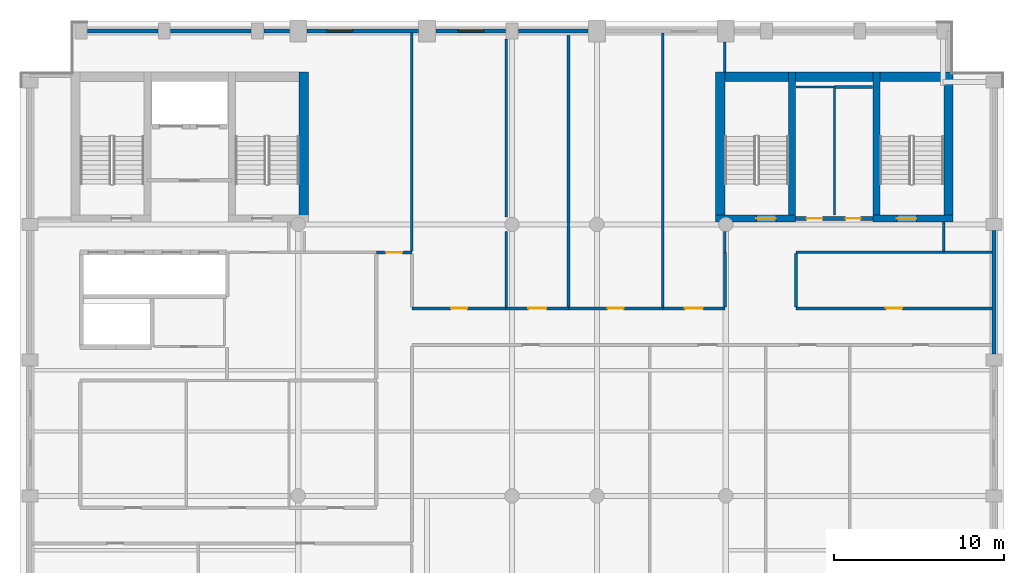
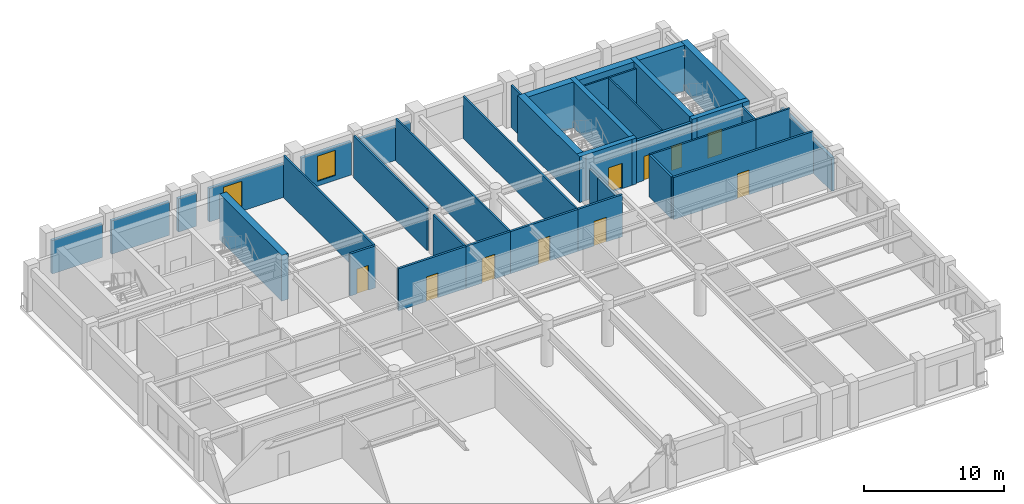
# One storey, part 5 of 9: 37 walls, 10 doors, 2 windows, 12 openings.
"""IFC4 building model written with IfcOpenShell, lengths in metres."""

from ifc_helpers import new_model, si_unit, direction, frame, frame_2d, origin, place, context, subcontext, project, spatial, rectangle, extrude, material, layer, layer_set, type_object, element, fill, save


model = new_model("IFC4")

# Units and contexts
model_context = context("Model", 3, precision=1e-05, world=origin(), true_north=direction((0.0, 1.0)))
body_context = subcontext(model_context, "Body", "Model", "MODEL_VIEW")
ifc_project = project(units=[si_unit("LENGTHUNIT", "METRE"), si_unit("AREAUNIT", "SQUARE_METRE"), si_unit("VOLUMEUNIT", "CUBIC_METRE"), si_unit("PLANEANGLEUNIT", "RADIAN"), si_unit("MASSUNIT", "GRAM", prefix="KILO")], contexts=[model_context])

# Site, building, storey
site_placement = place(None, origin())
site = spatial("IfcSite", under=ifc_project, at=site_placement, CompositionType="ELEMENT")
building_placement = place(site_placement, origin())
building = spatial("IfcBuilding", under=site, at=building_placement, Name="Sulina Concourse Tower", CompositionType="ELEMENT")
storey_placement = place(building_placement, frame((0.0, 0.0, 276.60009765625)))
storey = spatial("IfcBuildingStorey", under=building, at=storey_placement, Name="L67", CompositionType="ELEMENT", Elevation=276.60009765625)

# Walls
ifc_material_1 = material(Name="Precast concrete C50/60", Category="concrete")
ifc_layer_1 = layer(ifc_material_1, 0.239990234375)
ifc_layer_set_1 = layer_set([ifc_layer_1], Name="Precast concrete C50/60")
wall_type_1 = type_object("IfcWallType", Name="Crown Precast Masonry-Frame Facade Wall 240mm", PredefinedType="SOLIDWALL", material=ifc_layer_set_1)
wall_1_placement = place(storey_placement, frame((3.969970703125, 45.39990234375, 0.0), z_axis=(0.0, 0.0, 1.0), x_axis=(1.0, 0.0, 0.0)))
element("IfcWall", 1, at=wall_1_placement, inside=storey, type_object=wall_type_1, Name="L67 exterior precast wall N1", PredefinedType="SOLIDWALL", context=body_context, shape_type="SweptSolid", body=[
    extrude(rectangle(XDim=4.159912109375, YDim=0.239990234375, at=frame_2d((2.080078125, 0.0))), origin(), (0.0, 0.0, 1.0), 2.909912109375),
])
wall_2_placement = place(storey_placement, frame((8.8701171875, 45.39990234375, 0.0), z_axis=(0.0, 0.0, 1.0), x_axis=(1.0, 0.0, 0.0)))
element("IfcWall", 2, at=wall_2_placement, inside=storey, type_object=wall_type_1, Name="L67 exterior precast wall N2", PredefinedType="SOLIDWALL", context=body_context, shape_type="SweptSolid", body=[
    extrude(rectangle(XDim=4.759765625, YDim=0.239990234375, at=frame_2d((2.3798828125, 0.0))), origin(), (0.0, 0.0, 1.0), 2.909912109375),
])
wall_3_placement = place(storey_placement, frame((14.3701171875, 45.39990234375, 0.0), z_axis=(0.0, 0.0, 1.0), x_axis=(1.0, 0.0, 0.0)))
element("IfcWall", 3, at=wall_3_placement, inside=storey, type_object=wall_type_1, Name="L67 exterior precast wall N3", PredefinedType="SOLIDWALL", context=body_context, shape_type="SweptSolid", body=[
    extrude(rectangle(XDim=1.509765625, YDim=0.239990234375, at=frame_2d((0.7548828125, 0.0))), origin(), (0.0, 0.0, 1.0), 2.909912109375),
])

# Wall, opening, window
wall_4_placement = place(storey_placement, frame((16.919921875, 45.39990234375, 0.0), z_axis=(0.0, 0.0, 1.0), x_axis=(1.0, 0.0, 0.0)))
wall_4 = element("IfcWall", 4, at=wall_4_placement, inside=storey, type_object=wall_type_1, Name="L67 exterior precast wall N4", PredefinedType="SOLIDWALL", context=body_context, shape_type="SweptSolid", body=[
    extrude(rectangle(XDim=6.56005859375, YDim=0.239990234375, at=frame_2d((3.280029296875, 0.0))), origin(), (0.0, 0.0, 1.0), 2.909912109375),
])
opening_1_placement = place(wall_4_placement, frame((1.186767578125, 0.0, 0.419921875)))
opening_1 = element("IfcOpeningElement", 5, at=opening_1_placement, cuts=wall_4, Name="Opening WN-71", PredefinedType="OPENING", context=body_context, shape_type="SweptSolid", body=[
    extrude(rectangle(XDim=1.5, YDim=2.199951171875, at=frame_2d((0.75, 1.10009765625))), frame((0.0, 0.1298828125, 0.0), z_axis=(0.0, -1.0, 0.0), x_axis=(1.0, 0.0, 0.0)), (0.0, 0.0, 1.0), 0.260009765625),
])
ifc_material_2 = material(Name="Low-E solar double glazing in bronze aluminium", Category="aluminium")
window_type = type_object("IfcWindowType", Name="Punched Masonry-Frame Window 1500x2200", PartitioningType="SINGLE_PANEL", PredefinedType="WINDOW", material=ifc_material_2)
window_1_placement = place(opening_1_placement, origin())
window_1 = element("IfcWindow", 6, at=window_1_placement, inside=storey, type_object=window_type, Name="L67 punched window N4-1", OverallHeight=2.199951171875, OverallWidth=1.5, PartitioningType="SINGLE_PANEL", PredefinedType="WINDOW", context=body_context, shape_type="SweptSolid", body=[
    extrude(rectangle(XDim=1.5, YDim=2.199951171875, at=frame_2d((0.75, 1.10009765625))), frame((0.0, 0.030029296875, 0.0), z_axis=(0.0, -1.0, 0.0), x_axis=(1.0, 0.0, 0.0)), (0.0, 0.0, 1.0), 0.06005859375),
])
fill(opening_1, window_1)

wall_5_placement = place(storey_placement, frame((24.52001953125, 45.39990234375, 0.0), z_axis=(0.0, 0.0, 1.0), x_axis=(1.0, 0.0, 0.0)))
wall_5 = element("IfcWall", 7, at=wall_5_placement, inside=storey, type_object=wall_type_1, Name="L67 exterior precast wall N5", PredefinedType="SOLIDWALL", context=body_context, shape_type="SweptSolid", body=[
    extrude(rectangle(XDim=4.10986328125, YDim=0.239990234375, at=frame_2d((2.054931640625, 0.0))), origin(), (0.0, 0.0, 1.0), 2.909912109375),
])
opening_2_placement = place(wall_5_placement, frame((1.304931640625, 0.0, 0.419921875)))
opening_2 = element("IfcOpeningElement", 8, at=opening_2_placement, cuts=wall_5, Name="Opening WN-71", PredefinedType="OPENING", context=body_context, shape_type="SweptSolid", body=[
    extrude(rectangle(XDim=1.5, YDim=2.199951171875, at=frame_2d((0.75, 1.10009765625))), frame((0.0, 0.1298828125, 0.0), z_axis=(0.0, -1.0, 0.0), x_axis=(1.0, 0.0, 0.0)), (0.0, 0.0, 1.0), 0.260009765625),
])
window_2_placement = place(opening_2_placement, origin())
window_2 = element("IfcWindow", 9, at=window_2_placement, inside=storey, type_object=window_type, Name="L67 punched window N5-1", OverallHeight=2.199951171875, OverallWidth=1.5, PartitioningType="SINGLE_PANEL", PredefinedType="WINDOW", context=body_context, shape_type="SweptSolid", body=[
    extrude(rectangle(XDim=1.5, YDim=2.199951171875, at=frame_2d((0.75, 1.10009765625))), frame((0.0, 0.030029296875, 0.0), z_axis=(0.0, -1.0, 0.0), x_axis=(1.0, 0.0, 0.0)), (0.0, 0.0, 1.0), 0.06005859375),
])
fill(opening_2, window_2)

# Walls
wall_6_placement = place(storey_placement, frame((29.3701171875, 45.39990234375, 0.0), z_axis=(0.0, 0.0, 1.0), x_axis=(1.0, 0.0, 0.0)))
element("IfcWall", 10, at=wall_6_placement, inside=storey, type_object=wall_type_1, Name="L67 exterior precast wall N6", PredefinedType="SOLIDWALL", context=body_context, shape_type="SweptSolid", body=[
    extrude(rectangle(XDim=4.10986328125, YDim=0.239990234375, at=frame_2d((2.054931640625, 0.0))), origin(), (0.0, 0.0, 1.0), 2.909912109375),
])
wall_7_placement = place(storey_placement, frame((57.39990234375, 33.6298828125, 0.0), z_axis=(0.0, 0.0, 1.0), x_axis=(0.0, -1.0, 0.0)))
element("IfcWall", 11, at=wall_7_placement, inside=storey, type_object=wall_type_1, Name="L67 exterior precast wall E4", PredefinedType="SOLIDWALL", context=body_context, shape_type="SweptSolid", body=[
    extrude(rectangle(XDim=7.259765625, YDim=0.239990234375, at=frame_2d((3.6298828125, 0.0))), origin(), (0.0, 0.0, 1.0), 2.909912109375),
])

# Wall, openings, doors
ifc_material_3 = material(Name="Gypsum board on steel stud", Category="steel")
ifc_layer_2 = layer(ifc_material_3, 0.219970703125)
ifc_layer_set_2 = layer_set([ifc_layer_2], Name="Gypsum board on steel stud")
wall_type_2 = type_object("IfcWallType", Name="Fire-Rated Lobby & Compartment Wall 220mm", PredefinedType="PARTITIONING", material=ifc_layer_set_2)
wall_8_placement = place(storey_placement, frame((45.719970703125, 34.35009765625, 0.0), z_axis=(0.0, 0.0, 1.0), x_axis=(1.0, 0.0, 0.0)))
wall_8 = element("IfcWall", 12, at=wall_8_placement, inside=storey, type_object=wall_type_2, Name="L67 east core south lobby wall", PredefinedType="PARTITIONING", context=body_context, shape_type="SweptSolid", body=[
    extrude(rectangle(XDim=4.56005859375, YDim=0.219970703125, at=frame_2d((2.280029296875, 0.0))), origin(), (0.0, 0.0, 1.0), 3.659912109375),
])
opening_3_placement = place(wall_8_placement, frame((0.64990234375, 0.0, 0.0)))
opening_3 = element("IfcOpeningElement", 13, at=opening_3_placement, cuts=wall_8, Name="Opening DR-61", PredefinedType="OPENING", context=body_context, shape_type="SweptSolid", body=[
    extrude(rectangle(XDim=0.919921875, YDim=2.10009765625, at=frame_2d((0.4599609375, 1.050048828125))), frame((0.0, 0.119873046875, 0.0), z_axis=(0.0, -1.0, 0.0), x_axis=(1.0, 0.0, 0.0)), (0.0, 0.0, 1.0), 0.239990234375),
])
opening_4_placement = place(wall_8_placement, frame((2.949951171875, 0.0, 0.0)))
opening_4 = element("IfcOpeningElement", 14, at=opening_4_placement, cuts=wall_8, Name="Opening DR-38", PredefinedType="OPENING", context=body_context, shape_type="SweptSolid", body=[
    extrude(rectangle(XDim=0.8798828125, YDim=2.10009765625, at=frame_2d((0.43994140625, 1.050048828125))), frame((0.0, 0.119873046875, 0.0), z_axis=(0.0, -1.0, 0.0), x_axis=(1.0, 0.0, 0.0)), (0.0, 0.0, 1.0), 0.239990234375),
])
ifc_material_4 = material(Name="Oak-veneered fire door leaf")
ifc_layer_3 = layer(ifc_material_4, 0.050048828125)
ifc_layer_set_3 = layer_set([ifc_layer_3], Name="Oak-veneered fire door leaf")
door_type_1 = type_object("IfcDoorType", Name="Accessible WC Door 920x2100", OperationType="NOTDEFINED", PredefinedType="DOOR", material=ifc_layer_set_3)
door_1_placement = place(opening_3_placement, origin())
door_1 = element("IfcDoor", 15, at=door_1_placement, inside=storey, type_object=door_type_1, Name="L67 east core accessible wc door", OperationType="SINGLE_SWING_RIGHT", OverallHeight=2.10009765625, OverallWidth=0.919921875, PredefinedType="DOOR", context=body_context, shape_type="SweptSolid", body=[
    extrude(rectangle(XDim=0.919921875, YDim=2.10009765625, at=frame_2d((0.4599609375, 1.050048828125))), frame((0.0, 0.02490234375, 0.0), z_axis=(0.0, -1.0, 0.0), x_axis=(1.0, 0.0, 0.0)), (0.0, 0.0, 1.0), 0.050048828125),
])
fill(opening_3, door_1)
ifc_material_5 = material(Name="Galvanised steel acoustic fire leaf", Category="steel")
ifc_layer_4 = layer(ifc_material_5, 0.050048828125)
ifc_layer_set_4 = layer_set([ifc_layer_4], Name="Galvanised steel acoustic fire leaf")
door_type_2 = type_object("IfcDoorType", Name="Service Riser Fire Door 880x2100", OperationType="NOTDEFINED", PredefinedType="DOOR", material=ifc_layer_set_4)
door_2_placement = place(opening_4_placement, origin())
door_2 = element("IfcDoor", 16, at=door_2_placement, inside=storey, type_object=door_type_2, Name="L67 east core store door", OperationType="SINGLE_SWING_LEFT", OverallHeight=2.10009765625, OverallWidth=0.8798828125, PredefinedType="DOOR", context=body_context, shape_type="SweptSolid", body=[
    extrude(rectangle(XDim=0.8798828125, YDim=2.10009765625, at=frame_2d((0.43994140625, 1.050048828125))), frame((0.0, 0.02490234375, 0.0), z_axis=(0.0, -1.0, 0.0), x_axis=(1.0, 0.0, 0.0)), (0.0, 0.0, 1.0), 0.050048828125),
])
fill(opening_4, door_2)

# Walls
ifc_material_6 = material(Name="Gypsum board on steel stud", Category="steel")
ifc_layer_5 = layer(ifc_material_6, 0.14990234375)
ifc_layer_set_5 = layer_set([ifc_layer_5], Name="Gypsum board on steel stud")
wall_type_3 = type_object("IfcWallType", Name="Inter-Tenancy Acoustic Partition 150mm", PredefinedType="PARTITIONING", material=ifc_layer_set_5)
wall_9_placement = place(storey_placement, frame((45.75, 32.35009765625, 0.0), z_axis=(0.0, 0.0, 1.0), x_axis=(1.0, 0.0, 0.0)))
element("IfcWall", 17, at=wall_9_placement, inside=storey, type_object=wall_type_3, Name="L67 interior partition 024", PredefinedType="PARTITIONING", context=body_context, shape_type="SweptSolid", body=[
    extrude(rectangle(XDim=8.699951171875, YDim=0.14990234375, at=frame_2d((4.35009765625, 0.0))), origin(), (0.0, 0.0, 1.0), 3.659912109375),
])
wall_10_placement = place(storey_placement, frame((54.449951171875, 32.35009765625, 0.0), z_axis=(0.0, 0.0, 1.0), x_axis=(1.0, 0.0, 0.0)))
element("IfcWall", 18, at=wall_10_placement, inside=storey, type_object=wall_type_3, Name="L67 interior partition 025", PredefinedType="PARTITIONING", context=body_context, shape_type="SweptSolid", body=[
    extrude(rectangle(XDim=2.830078125, YDim=0.14990234375, at=frame_2d((1.4150390625, 0.0))), origin(), (0.0, 0.0, 1.0), 3.659912109375),
])
wall_11_placement = place(storey_placement, frame((48.0, 42.10009765625, 0.0), z_axis=(0.0, 0.0, 1.0), x_axis=(1.0, 0.0, 0.0)))
element("IfcWall", 19, at=wall_11_placement, inside=storey, type_object=wall_type_3, Name="L67 interior partition 028", PredefinedType="PARTITIONING", context=body_context, shape_type="SweptSolid", body=[
    extrude(rectangle(XDim=2.25, YDim=0.14990234375, at=frame_2d((1.125, 0.0))), origin(), (0.0, 0.0, 1.0), 3.659912109375),
])
wall_12_placement = place(storey_placement, frame((23.10009765625, 32.43994140625, 0.0), z_axis=(0.0, 0.0, 1.0), x_axis=(0.0, 1.0, 0.0)))
element("IfcWall", 20, at=wall_12_placement, inside=storey, type_object=wall_type_3, Name="L67 interior partition 043", PredefinedType="PARTITIONING", context=body_context, shape_type="SweptSolid", body=[
    extrude(rectangle(XDim=12.840087890625, YDim=0.14990234375, at=frame_2d((6.419921875, 0.0))), origin(), (0.0, 0.0, 1.0), 3.659912109375),
])
wall_13_placement = place(storey_placement, frame((28.659912109375, 29.139892578125, 0.0), z_axis=(0.0, 0.0, 1.0), x_axis=(0.0, 1.0, 0.0)))
element("IfcWall", 21, at=wall_13_placement, inside=storey, type_object=wall_type_3, Name="L67 interior partition 044", PredefinedType="PARTITIONING", context=body_context, shape_type="SweptSolid", body=[
    extrude(rectangle(XDim=4.43505859375, YDim=0.14990234375, at=frame_2d((2.217529296875, 0.0))), origin(), (0.0, 0.0, 1.0), 3.659912109375),
])
wall_14_placement = place(storey_placement, frame((28.659912109375, 34.425048828125, 0.0), z_axis=(0.0, 0.0, 1.0), x_axis=(0.0, 1.0, 0.0)))
element("IfcWall", 22, at=wall_14_placement, inside=storey, type_object=wall_type_3, Name="L67 interior partition 045", PredefinedType="PARTITIONING", context=body_context, shape_type="SweptSolid", body=[
    extrude(rectangle(XDim=10.5, YDim=0.14990234375, at=frame_2d((5.25, 0.0))), origin(), (0.0, 0.0, 1.0), 3.659912109375),
])
for number, where, z_axis, x_axis, name in (
    (23, (32.330078125, 29.139892578125, 0.0), (0.0, 0.0, 1.0), (0.0, 1.0, 0.0), "L67 interior partition 046"),
    (24, (37.889892578125, 29.139892578125, 0.0), (0.0, 0.0, 1.0), (0.0, 1.0, 0.0), "L67 interior partition 048"),
):
    element("IfcWall", number, at=place(storey_placement, frame(where, z_axis=z_axis, x_axis=x_axis)), inside=storey, type_object=wall_type_3, Name=name, PredefinedType="PARTITIONING", context=body_context, shape_type="SweptSolid", body=[
        extrude(rectangle(XDim=16.14013671875, YDim=0.14990234375, at=frame_2d((8.070068359375, 0.0))), origin(), (0.0, 0.0, 1.0), 3.659912109375),
    ])
wall_15_placement = place(storey_placement, frame((41.550048828125, 32.35009765625, 0.0), z_axis=(0.0, 0.0, 1.0), x_axis=(0.0, 1.0, 0.0)))
element("IfcWall", 25, at=wall_15_placement, inside=storey, type_object=wall_type_3, Name="L67 interior partition 050", PredefinedType="PARTITIONING", context=body_context, shape_type="SweptSolid", body=[
    extrude(rectangle(XDim=1.224853515625, YDim=0.14990234375, at=frame_2d((0.6123046875, 0.0))), origin(), (0.0, 0.0, 1.0), 3.10498046875),
])
wall_16_placement = place(storey_placement, frame((41.550048828125, 42.97998046875, 0.0), z_axis=(0.0, 0.0, 1.0), x_axis=(0.0, 1.0, 0.0)))
element("IfcWall", 26, at=wall_16_placement, inside=storey, type_object=wall_type_3, Name="L67 interior partition 051", PredefinedType="PARTITIONING", context=body_context, shape_type="SweptSolid", body=[
    extrude(rectangle(XDim=1.77001953125, YDim=0.14990234375, at=frame_2d((0.885009765625, 0.0))), origin(), (0.0, 0.0, 1.0), 3.659912109375),
])
wall_17_placement = place(storey_placement, frame((54.449951171875, 32.425048828125, 0.0), z_axis=(0.0, 0.0, 1.0), x_axis=(0.0, 1.0, 0.0)))
element("IfcWall", 27, at=wall_17_placement, inside=storey, type_object=wall_type_3, Name="L67 interior partition 056", PredefinedType="PARTITIONING", context=body_context, shape_type="SweptSolid", body=[
    extrude(rectangle(XDim=1.724853515625, YDim=0.14990234375, at=frame_2d((0.8623046875, 0.0))), origin(), (0.0, 0.0, 1.0), 3.659912109375),
])

# Wall, opening, door
ifc_material_7 = material(Name="Gypsum board on steel stud", Category="steel")
ifc_layer_6 = layer(ifc_material_7, 0.179931640625)
ifc_layer_set_6 = layer_set([ifc_layer_6], Name="Gypsum board on steel stud")
wall_type_4 = type_object("IfcWallType", Name="Protected Corridor & Riser Partition 180mm", PredefinedType="PARTITIONING", material=ifc_layer_set_6)
wall_18_placement = place(storey_placement, frame((23.10009765625, 29.050048828125, 0.0), z_axis=(0.0, 0.0, 1.0), x_axis=(1.0, 0.0, 0.0)))
wall_18 = element("IfcWall", 28, at=wall_18_placement, inside=storey, type_object=wall_type_4, Name="L67 interior partition 015", PredefinedType="PARTITIONING", context=body_context, shape_type="SweptSolid", body=[
    extrude(rectangle(XDim=5.559814453125, YDim=0.179931640625, at=frame_2d((2.77978515625, 0.0))), origin(), (0.0, 0.0, 1.0), 3.659912109375),
])
opening_5_placement = place(wall_18_placement, frame((2.304931640625, 0.0, 0.0)))
opening_5 = element("IfcOpeningElement", 29, at=opening_5_placement, cuts=wall_18, Name="Opening DR-19", PredefinedType="OPENING", context=body_context, shape_type="SweptSolid", body=[
    extrude(rectangle(XDim=0.949951171875, YDim=2.14990234375, at=frame_2d((0.47509765625, 1.074951171875))), frame((0.0, 0.099853515625, 0.0), z_axis=(0.0, -1.0, 0.0), x_axis=(1.0, 0.0, 0.0)), (0.0, 0.0, 1.0), 0.199951171875),
])
ifc_material_8 = material(Name="Oak-veneered acoustic timber leaf", Category="wood")
ifc_layer_7 = layer(ifc_material_8, 0.050048828125)
ifc_layer_set_7 = layer_set([ifc_layer_7], Name="Oak-veneered acoustic timber leaf")
door_type_3 = type_object("IfcDoorType", Name="Cellular Office & Meeting Door 950x2150", OperationType="NOTDEFINED", PredefinedType="DOOR", material=ifc_layer_set_7)
door_3_placement = place(opening_5_placement, origin())
door_3 = element("IfcDoor", 30, at=door_3_placement, inside=storey, type_object=door_type_3, Name="L67 interior door L67-NC1", OperationType="SINGLE_SWING_LEFT", OverallHeight=2.14990234375, OverallWidth=0.949951171875, PredefinedType="DOOR", context=body_context, shape_type="SweptSolid", body=[
    extrude(rectangle(XDim=0.949951171875, YDim=2.14990234375, at=frame_2d((0.47509765625, 1.074951171875))), frame((0.0, 0.02490234375, 0.0), z_axis=(0.0, -1.0, 0.0), x_axis=(1.0, 0.0, 0.0)), (0.0, 0.0, 1.0), 0.050048828125),
])
fill(opening_5, door_3)

wall_19_placement = place(storey_placement, frame((28.659912109375, 29.050048828125, 0.0), z_axis=(0.0, 0.0, 1.0), x_axis=(1.0, 0.0, 0.0)))
wall_19 = element("IfcWall", 31, at=wall_19_placement, inside=storey, type_object=wall_type_4, Name="L67 interior partition 016", PredefinedType="PARTITIONING", context=body_context, shape_type="SweptSolid", body=[
    extrude(rectangle(XDim=3.670166015625, YDim=0.179931640625, at=frame_2d((1.8349609375, 0.0))), origin(), (0.0, 0.0, 1.0), 3.659912109375),
])
opening_6_placement = place(wall_19_placement, frame((1.31005859375, 0.0, 0.0)))
opening_6 = element("IfcOpeningElement", 32, at=opening_6_placement, cuts=wall_19, Name="Opening DR-37", PredefinedType="OPENING", context=body_context, shape_type="SweptSolid", body=[
    extrude(rectangle(XDim=1.050048828125, YDim=2.14990234375, at=frame_2d((0.52490234375, 1.074951171875))), frame((0.0, 0.099853515625, 0.0), z_axis=(0.0, -1.0, 0.0), x_axis=(1.0, 0.0, 0.0)), (0.0, 0.0, 1.0), 0.199951171875),
])
ifc_material_9 = material(Name="Oak-veneered fire door leaf")
ifc_layer_8 = layer(ifc_material_9, 0.050048828125)
ifc_layer_set_8 = layer_set([ifc_layer_8], Name="Oak-veneered fire door leaf")
door_type_4 = type_object("IfcDoorType", Name="Tenant Suite Entrance Fire Door 1050x2150", OperationType="NOTDEFINED", PredefinedType="DOOR", material=ifc_layer_set_8)
door_4_placement = place(opening_6_placement, origin())
door_4 = element("IfcDoor", 33, at=door_4_placement, inside=storey, type_object=door_type_4, Name="L67 interior door L67-NC2", OperationType="SINGLE_SWING_RIGHT", OverallHeight=2.14990234375, OverallWidth=1.050048828125, PredefinedType="DOOR", context=body_context, shape_type="SweptSolid", body=[
    extrude(rectangle(XDim=1.050048828125, YDim=2.14990234375, at=frame_2d((0.52490234375, 1.074951171875))), frame((0.0, 0.02490234375, 0.0), z_axis=(0.0, -1.0, 0.0), x_axis=(1.0, 0.0, 0.0)), (0.0, 0.0, 1.0), 0.050048828125),
])
fill(opening_6, door_4)

wall_20_placement = place(storey_placement, frame((32.330078125, 29.050048828125, 0.0), z_axis=(0.0, 0.0, 1.0), x_axis=(1.0, 0.0, 0.0)))
wall_20 = element("IfcWall", 34, at=wall_20_placement, inside=storey, type_object=wall_type_4, Name="L67 interior partition 017", PredefinedType="PARTITIONING", context=body_context, shape_type="SweptSolid", body=[
    extrude(rectangle(XDim=5.559814453125, YDim=0.179931640625, at=frame_2d((2.77978515625, 0.0))), origin(), (0.0, 0.0, 1.0), 3.659912109375),
])
opening_7_placement = place(wall_20_placement, frame((2.304931640625, 0.0, 0.0)))
opening_7 = element("IfcOpeningElement", 35, at=opening_7_placement, cuts=wall_20, Name="Opening DR-19", PredefinedType="OPENING", context=body_context, shape_type="SweptSolid", body=[
    extrude(rectangle(XDim=0.949951171875, YDim=2.14990234375, at=frame_2d((0.47509765625, 1.074951171875))), frame((0.0, 0.099853515625, 0.0), z_axis=(0.0, -1.0, 0.0), x_axis=(1.0, 0.0, 0.0)), (0.0, 0.0, 1.0), 0.199951171875),
])
door_5_placement = place(opening_7_placement, origin())
door_5 = element("IfcDoor", 36, at=door_5_placement, inside=storey, type_object=door_type_3, Name="L67 interior door L67-NC3", OperationType="SINGLE_SWING_LEFT", OverallHeight=2.14990234375, OverallWidth=0.949951171875, PredefinedType="DOOR", context=body_context, shape_type="SweptSolid", body=[
    extrude(rectangle(XDim=0.949951171875, YDim=2.14990234375, at=frame_2d((0.47509765625, 1.074951171875))), frame((0.0, 0.02490234375, 0.0), z_axis=(0.0, -1.0, 0.0), x_axis=(1.0, 0.0, 0.0)), (0.0, 0.0, 1.0), 0.050048828125),
])
fill(opening_7, door_5)

wall_21_placement = place(storey_placement, frame((37.889892578125, 29.050048828125, 0.0), z_axis=(0.0, 0.0, 1.0), x_axis=(1.0, 0.0, 0.0)))
wall_21 = element("IfcWall", 37, at=wall_21_placement, inside=storey, type_object=wall_type_4, Name="L67 interior partition 018", PredefinedType="PARTITIONING", context=body_context, shape_type="SweptSolid", body=[
    extrude(rectangle(XDim=3.66015625, YDim=0.179931640625, at=frame_2d((1.830078125, 0.0))), origin(), (0.0, 0.0, 1.0), 3.659912109375),
])
opening_8_placement = place(wall_21_placement, frame((1.304931640625, 0.0, 0.0)))
opening_8 = element("IfcOpeningElement", 38, at=opening_8_placement, cuts=wall_21, Name="Opening DR-37", PredefinedType="OPENING", context=body_context, shape_type="SweptSolid", body=[
    extrude(rectangle(XDim=1.050048828125, YDim=2.14990234375, at=frame_2d((0.52490234375, 1.074951171875))), frame((0.0, 0.099853515625, 0.0), z_axis=(0.0, -1.0, 0.0), x_axis=(1.0, 0.0, 0.0)), (0.0, 0.0, 1.0), 0.199951171875),
])
door_6_placement = place(opening_8_placement, origin())
door_6 = element("IfcDoor", 39, at=door_6_placement, inside=storey, type_object=door_type_4, Name="L67 interior door L67-NC4", OperationType="SINGLE_SWING_RIGHT", OverallHeight=2.14990234375, OverallWidth=1.050048828125, PredefinedType="DOOR", context=body_context, shape_type="SweptSolid", body=[
    extrude(rectangle(XDim=1.050048828125, YDim=2.14990234375, at=frame_2d((0.52490234375, 1.074951171875))), frame((0.0, 0.02490234375, 0.0), z_axis=(0.0, -1.0, 0.0), x_axis=(1.0, 0.0, 0.0)), (0.0, 0.0, 1.0), 0.050048828125),
])
fill(opening_8, door_6)

wall_22_placement = place(storey_placement, frame((45.75, 29.050048828125, 0.0), z_axis=(0.0, 0.0, 1.0), x_axis=(1.0, 0.0, 0.0)))
wall_22 = element("IfcWall", 40, at=wall_22_placement, inside=storey, type_object=wall_type_4, Name="L67 interior partition 019", PredefinedType="PARTITIONING", context=body_context, shape_type="SweptSolid", body=[
    extrude(rectangle(XDim=11.530029296875, YDim=0.179931640625, at=frame_2d((5.76513671875, 0.0))), origin(), (0.0, 0.0, 1.0), 3.659912109375),
])
opening_9_placement = place(wall_22_placement, frame((5.2900390625, 0.0, 0.0)))
opening_9 = element("IfcOpeningElement", 41, at=opening_9_placement, cuts=wall_22, Name="Opening DR-19", PredefinedType="OPENING", context=body_context, shape_type="SweptSolid", body=[
    extrude(rectangle(XDim=0.949951171875, YDim=2.14990234375, at=frame_2d((0.47509765625, 1.074951171875))), frame((0.0, 0.099853515625, 0.0), z_axis=(0.0, -1.0, 0.0), x_axis=(1.0, 0.0, 0.0)), (0.0, 0.0, 1.0), 0.199951171875),
])
door_7_placement = place(opening_9_placement, origin())
door_7 = element("IfcDoor", 42, at=door_7_placement, inside=storey, type_object=door_type_3, Name="L67 interior door L67-NE1", OperationType="SINGLE_SWING_LEFT", OverallHeight=2.14990234375, OverallWidth=0.949951171875, PredefinedType="DOOR", context=body_context, shape_type="SweptSolid", body=[
    extrude(rectangle(XDim=0.949951171875, YDim=2.14990234375, at=frame_2d((0.47509765625, 1.074951171875))), frame((0.0, 0.02490234375, 0.0), z_axis=(0.0, -1.0, 0.0), x_axis=(1.0, 0.0, 0.0)), (0.0, 0.0, 1.0), 0.050048828125),
])
fill(opening_9, door_7)

wall_23_placement = place(storey_placement, frame((21.0, 32.35009765625, 0.0), z_axis=(0.0, 0.0, 1.0), x_axis=(1.0, 0.0, 0.0)))
wall_23 = element("IfcWall", 43, at=wall_23_placement, inside=storey, type_object=wall_type_4, Name="L67 interior partition 023", PredefinedType="PARTITIONING", context=body_context, shape_type="SweptSolid", body=[
    extrude(rectangle(XDim=2.10009765625, YDim=0.179931640625, at=frame_2d((1.050048828125, 0.0))), origin(), (0.0, 0.0, 1.0), 3.659912109375),
])
opening_10_placement = place(wall_23_placement, frame((0.574951171875, 0.0, 0.0)))
opening_10 = element("IfcOpeningElement", 44, at=opening_10_placement, cuts=wall_23, Name="Opening DR-19", PredefinedType="OPENING", context=body_context, shape_type="SweptSolid", body=[
    extrude(rectangle(XDim=0.949951171875, YDim=2.14990234375, at=frame_2d((0.47509765625, 1.074951171875))), frame((0.0, 0.099853515625, 0.0), z_axis=(0.0, -1.0, 0.0), x_axis=(1.0, 0.0, 0.0)), (0.0, 0.0, 1.0), 0.199951171875),
])
door_8_placement = place(opening_10_placement, origin())
door_8 = element("IfcDoor", 45, at=door_8_placement, inside=storey, type_object=door_type_3, Name="L67 interior door L67-NC-NW", OperationType="SINGLE_SWING_LEFT", OverallHeight=2.14990234375, OverallWidth=0.949951171875, PredefinedType="DOOR", context=body_context, shape_type="SweptSolid", body=[
    extrude(rectangle(XDim=0.949951171875, YDim=2.14990234375, at=frame_2d((0.47509765625, 1.074951171875))), frame((0.0, 0.02490234375, 0.0), z_axis=(0.0, -1.0, 0.0), x_axis=(1.0, 0.0, 0.0)), (0.0, 0.0, 1.0), 0.050048828125),
])
fill(opening_10, door_8)

# Walls
wall_24_placement = place(storey_placement, frame((41.550048828125, 29.139892578125, 0.0), z_axis=(0.0, 0.0, 1.0), x_axis=(0.0, 1.0, 0.0)))
element("IfcWall", 46, at=wall_24_placement, inside=storey, type_object=wall_type_4, Name="L67 interior partition 049", PredefinedType="PARTITIONING", context=body_context, shape_type="SweptSolid", body=[
    extrude(rectangle(XDim=3.210205078125, YDim=0.179931640625, at=frame_2d((1.60498046875, 0.0))), origin(), (0.0, 0.0, 1.0), 3.10498046875),
])
wall_25_placement = place(storey_placement, frame((45.75, 29.139892578125, 0.0), z_axis=(0.0, 0.0, 1.0), x_axis=(0.0, 1.0, 0.0)))
element("IfcWall", 47, at=wall_25_placement, inside=storey, type_object=wall_type_4, Name="L67 interior partition 053", PredefinedType="PARTITIONING", context=body_context, shape_type="SweptSolid", body=[
    extrude(rectangle(XDim=3.135009765625, YDim=0.179931640625, at=frame_2d((1.5673828125, 0.0))), origin(), (0.0, 0.0, 1.0), 3.659912109375),
])

# Wall, opening, door
ifc_material_10 = material(Name="Concrete C60/75", Category="concrete")
ifc_layer_9 = layer(ifc_material_10, 0.39990234375)
ifc_layer_set_9 = layer_set([ifc_layer_9], Name="Concrete C60/75")
wall_type_5 = type_object("IfcWallType", Name="Protected Stair Core Shear Wall 400mm", PredefinedType="SHEAR", material=ifc_layer_set_9)
wall_26_placement = place(storey_placement, frame((41.0, 34.35009765625, 0.0), z_axis=(0.0, 0.0, 1.0), x_axis=(1.0, 0.0, 0.0)))
wall_26 = element("IfcWall", 48, at=wall_26_placement, inside=storey, type_object=wall_type_5, Name="L67 east core shear wall CW-ES1", PredefinedType="SHEAR", context=body_context, shape_type="SweptSolid", body=[
    extrude(rectangle(XDim=4.7099609375, YDim=0.39990234375, at=frame_2d((2.35498046875, 0.0))), origin(), (0.0, 0.0, 1.0), 4.0),
])
opening_11_placement = place(wall_26_placement, frame((2.39990234375, 0.0, 0.0)))
opening_11 = element("IfcOpeningElement", 49, at=opening_11_placement, cuts=wall_26, Name="Opening DR-60", PredefinedType="OPENING", context=body_context, shape_type="SweptSolid", body=[
    extrude(rectangle(XDim=1.14990234375, YDim=2.199951171875, at=frame_2d((0.574951171875, 1.10009765625))), frame((0.0, 0.2099609375, 0.0), z_axis=(0.0, -1.0, 0.0), x_axis=(1.0, 0.0, 0.0)), (0.0, 0.0, 1.0), 0.419921875),
])
ifc_material_11 = material(Name="Galvanised steel acoustic fire leaf", Category="steel")
ifc_layer_10 = layer(ifc_material_11, 0.054931640625)
ifc_layer_set_10 = layer_set([ifc_layer_10], Name="Galvanised steel acoustic fire leaf")
door_type_5 = type_object("IfcDoorType", Name="Protected Exit Stair Fire Door 1150x2200", OperationType="NOTDEFINED", PredefinedType="DOOR", material=ifc_layer_set_10)
door_9_placement = place(opening_11_placement, origin())
door_9 = element("IfcDoor", 50, at=door_9_placement, inside=storey, type_object=door_type_5, Name="L67 stair ST-3 south lobby fire door", OperationType="SINGLE_SWING_LEFT", OverallHeight=2.199951171875, OverallWidth=1.14990234375, PredefinedType="DOOR", context=body_context, shape_type="SweptSolid", body=[
    extrude(rectangle(XDim=1.14990234375, YDim=2.199951171875, at=frame_2d((0.574951171875, 1.10009765625))), frame((0.0, 0.02490234375, 0.0), z_axis=(0.0, -1.0, 0.0), x_axis=(1.0, 0.0, 0.0)), (0.0, 0.0, 1.0), 0.050048828125),
])
fill(opening_11, door_9)

# Wall
wall_27_placement = place(storey_placement, frame((45.510009765625, 34.14990234375, 0.0), z_axis=(0.0, 0.0, 1.0), x_axis=(0.0, 1.0, 0.0)))
element("IfcWall", 51, at=wall_27_placement, inside=storey, type_object=wall_type_5, Name="L67 east core shear wall SW-ST3", PredefinedType="SHEAR", context=body_context, shape_type="SweptSolid", body=[
    extrude(rectangle(XDim=8.830078125, YDim=0.39990234375, at=frame_2d((4.4150390625, 0.0))), origin(), (0.0, 0.0, 1.0), 4.0),
])

# Wall, opening, door
wall_28_placement = place(storey_placement, frame((50.2900390625, 34.35009765625, 0.0), z_axis=(0.0, 0.0, 1.0), x_axis=(1.0, 0.0, 0.0)))
wall_28 = element("IfcWall", 52, at=wall_28_placement, inside=storey, type_object=wall_type_5, Name="L67 east core shear wall CW-ES2", PredefinedType="SHEAR", context=body_context, shape_type="SweptSolid", body=[
    extrude(rectangle(XDim=4.7099609375, YDim=0.39990234375, at=frame_2d((2.35498046875, 0.0))), origin(), (0.0, 0.0, 1.0), 4.0),
])
opening_12_placement = place(wall_28_placement, frame((1.39990234375, 0.0, 0.0)))
opening_12 = element("IfcOpeningElement", 53, at=opening_12_placement, cuts=wall_28, Name="Opening DR-60", PredefinedType="OPENING", context=body_context, shape_type="SweptSolid", body=[
    extrude(rectangle(XDim=1.14990234375, YDim=2.199951171875, at=frame_2d((0.574951171875, 1.10009765625))), frame((0.0, 0.2099609375, 0.0), z_axis=(0.0, -1.0, 0.0), x_axis=(1.0, 0.0, 0.0)), (0.0, 0.0, 1.0), 0.419921875),
])
door_10_placement = place(opening_12_placement, origin())
door_10 = element("IfcDoor", 54, at=door_10_placement, inside=storey, type_object=door_type_5, Name="L67 stair ST-4 south lobby fire door", OperationType="SINGLE_SWING_RIGHT", OverallHeight=2.199951171875, OverallWidth=1.14990234375, PredefinedType="DOOR", context=body_context, shape_type="SweptSolid", body=[
    extrude(rectangle(XDim=1.14990234375, YDim=2.199951171875, at=frame_2d((0.574951171875, 1.10009765625))), frame((0.0, 0.02490234375, 0.0), z_axis=(0.0, -1.0, 0.0), x_axis=(1.0, 0.0, 0.0)), (0.0, 0.0, 1.0), 0.050048828125),
])
fill(opening_12, door_10)

# Walls
wall_29_placement = place(storey_placement, frame((50.489990234375, 34.14990234375, 0.0), z_axis=(0.0, 0.0, 1.0), x_axis=(0.0, 1.0, 0.0)))
element("IfcWall", 55, at=wall_29_placement, inside=storey, type_object=wall_type_5, Name="L67 east core shear wall SW-ST4", PredefinedType="SHEAR", context=body_context, shape_type="SweptSolid", body=[
    extrude(rectangle(XDim=8.830078125, YDim=0.39990234375, at=frame_2d((4.4150390625, 0.0))), origin(), (0.0, 0.0, 1.0), 4.0),
])
ifc_material_12 = material(Name="Concrete C50/60", Category="concrete")
ifc_layer_11 = layer(ifc_material_12, 0.550048828125)
ifc_layer_set_11 = layer_set([ifc_layer_11], Name="Concrete C50/60")
wall_type_6 = type_object("IfcWallType", Name="Upper Core Shear Wall 550mm", PredefinedType="SHEAR", material=ifc_layer_set_11)
wall_30_placement = place(storey_placement, frame((16.72509765625, 34.14990234375, 0.0), z_axis=(0.0, 0.0, 1.0), x_axis=(0.0, 1.0, 0.0)))
element("IfcWall", 56, at=wall_30_placement, inside=storey, type_object=wall_type_6, Name="L67 west core shear wall CW-WE", PredefinedType="SHEAR", context=body_context, shape_type="SweptSolid", body=[
    extrude(rectangle(XDim=8.830078125, YDim=0.550048828125, at=frame_2d((4.4150390625, 0.0))), origin(), (0.0, 0.0, 1.0), 4.0),
])
wall_31_placement = place(storey_placement, frame((41.0, 42.705078125, 0.0), z_axis=(0.0, 0.0, 1.0), x_axis=(1.0, 0.0, 0.0)))
element("IfcWall", 57, at=wall_31_placement, inside=storey, type_object=wall_type_6, Name="L67 east core shear wall CW-EN", PredefinedType="SHEAR", context=body_context, shape_type="SweptSolid", body=[
    extrude(rectangle(XDim=14.0, YDim=0.550048828125, at=frame_2d((7.0, 0.0))), origin(), (0.0, 0.0, 1.0), 4.0),
])
for number, where, z_axis, x_axis, name in (
    (58, (41.27490234375, 34.14990234375, 0.0), (0.0, 0.0, 1.0), (0.0, 1.0, 0.0), "L67 east core shear wall CW-EW"),
    (59, (54.72509765625, 34.14990234375, 0.0), (0.0, 0.0, 1.0), (0.0, 1.0, 0.0), "L67 east core shear wall CW-EE"),
):
    element("IfcWall", number, at=place(storey_placement, frame(where, z_axis=z_axis, x_axis=x_axis)), inside=storey, type_object=wall_type_6, Name=name, PredefinedType="SHEAR", context=body_context, shape_type="SweptSolid", body=[
        extrude(rectangle(XDim=8.830078125, YDim=0.550048828125, at=frame_2d((4.4150390625, 0.0))), origin(), (0.0, 0.0, 1.0), 4.0),
    ])
ifc_material_13 = material(Name="Gypsum board on steel stud", Category="steel")
ifc_layer_12 = layer(ifc_material_13, 0.125)
ifc_layer_set_12 = layer_set([ifc_layer_12], Name="Gypsum board on steel stud")
wall_type_7 = type_object("IfcWallType", Name="Wet-Area Moisture-Resistant Partition 125mm", PredefinedType="PARTITIONING", material=ifc_layer_set_12)
wall_32_placement = place(storey_placement, frame((45.75, 42.10009765625, 0.0), z_axis=(0.0, 0.0, 1.0), x_axis=(1.0, 0.0, 0.0)))
element("IfcWall", 60, at=wall_32_placement, inside=storey, type_object=wall_type_7, Name="L67 interior partition 027", PredefinedType="PARTITIONING", context=body_context, shape_type="SweptSolid", body=[
    extrude(rectangle(XDim=2.25, YDim=0.125, at=frame_2d((1.125, 0.0))), origin(), (0.0, 0.0, 1.0), 3.659912109375),
])
wall_33_placement = place(storey_placement, frame((48.0, 34.550048828125, 0.0), z_axis=(0.0, 0.0, 1.0), x_axis=(0.0, 1.0, 0.0)))
element("IfcWall", 61, at=wall_33_placement, inside=storey, type_object=wall_type_7, Name="L67 interior partition 054", PredefinedType="PARTITIONING", context=body_context, shape_type="SweptSolid", body=[
    extrude(rectangle(XDim=7.474853515625, YDim=0.125, at=frame_2d((3.7373046875, 0.0))), origin(), (0.0, 0.0, 1.0), 3.659912109375),
])

save(model, "model.ifc")
